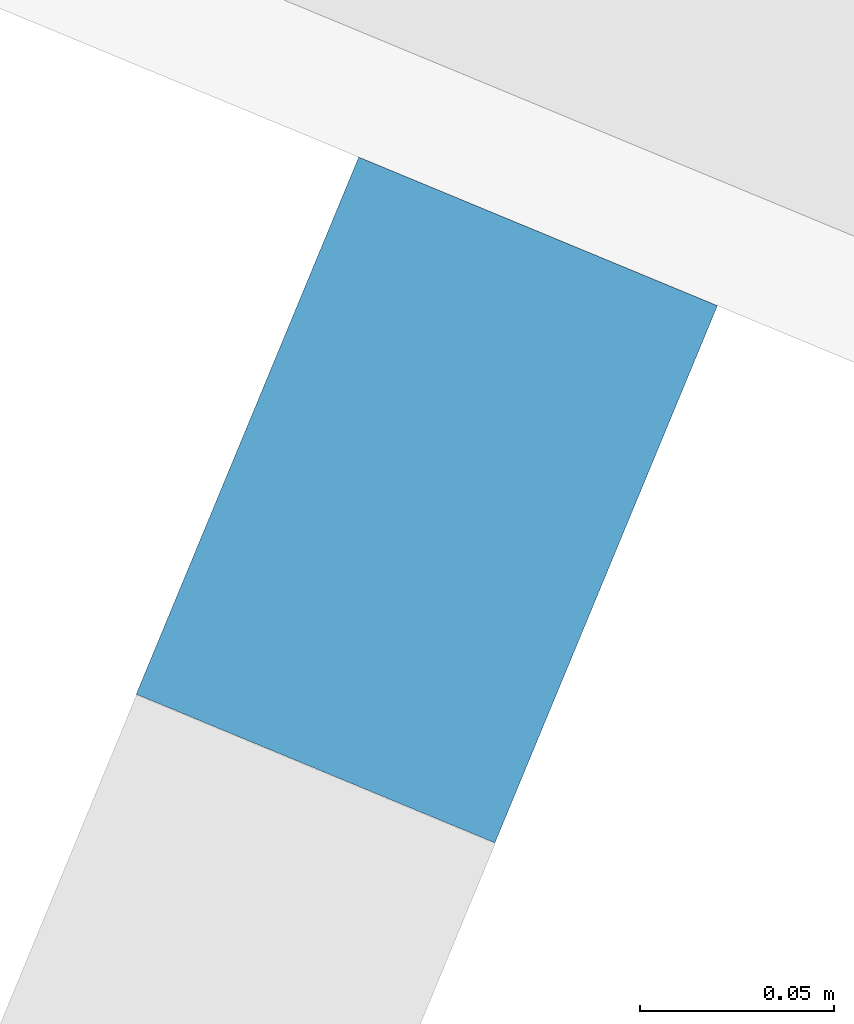
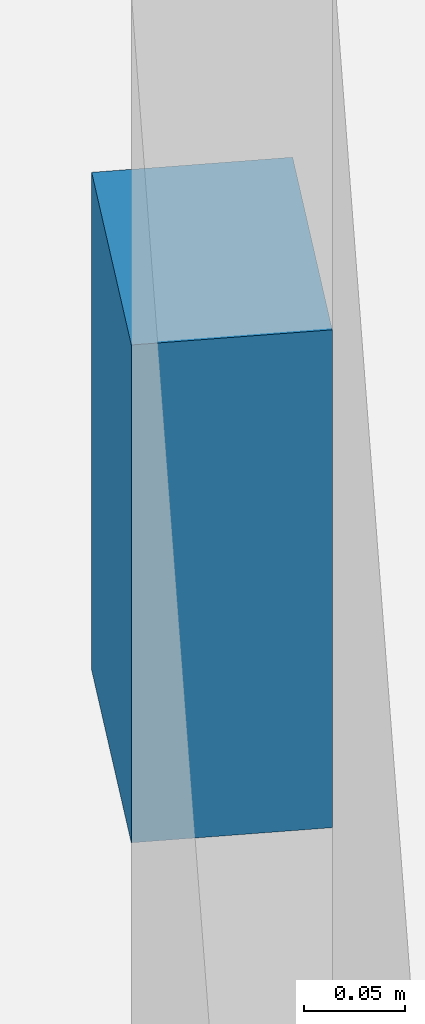
# One storey, part 9 of 28: 1 discrete accessory.
"""IFC4 building model written with IfcOpenShell, lengths in metres."""

from ifc_helpers import new_model, si_unit, direction, frame, origin, origin_2d, place, context, subcontext, project, spatial, rectangle, extrude, material, type_object, element, save


model = new_model("IFC4")

# Units and contexts
model_context = context("Model", 3, precision=1e-05, world=origin(), true_north=direction((0.0, 1.0)))
body_context = subcontext(model_context, "Body", "Model", "MODEL_VIEW")
ifc_project = project(units=[si_unit("LENGTHUNIT", "METRE"), si_unit("AREAUNIT", "SQUARE_METRE"), si_unit("VOLUMEUNIT", "CUBIC_METRE"), si_unit("PLANEANGLEUNIT", "RADIAN"), si_unit("MASSUNIT", "GRAM", prefix="KILO")], contexts=[model_context])

# Site, building, storey
site_placement = place(None, origin())
site = spatial("IfcSite", under=ifc_project, at=site_placement, CompositionType="ELEMENT")
building_placement = place(site_placement, origin())
building = spatial("IfcBuilding", under=site, at=building_placement, Name="Qamariyya Broadcast Tower", CompositionType="ELEMENT")
storey_placement = place(building_placement, frame((0.0, 0.0, 234.10009765625)))
storey = spatial("IfcBuildingStorey", under=building, at=storey_placement, Name="L56", CompositionType="ELEMENT", Elevation=234.10009765625)

# Discrete accessory
ifc_material = material(Name="Stainless steel 316", Category="steel")
discrete_accessory_type = type_object("IfcDiscreteAccessoryType", Name="Slab edge fixing angle, stainless steel", PredefinedType="BRACKET", material=ifc_material)
discrete_accessory_placement = place(storey_placement, frame((-33.626708984375, -71.100341796875, 3.2998046875), z_axis=(0.0, 0.0, 1.0), x_axis=(0.923879532511, -0.382683432365, 0.0)))
element("IfcDiscreteAccessory", 1, at=discrete_accessory_placement, inside=storey, type_object=discrete_accessory_type, Name="e-br-L56-05-0", PredefinedType="BRACKET", context=body_context, shape_type="SweptSolid", body=[
    extrude(rectangle(XDim=0.10009765625, YDim=0.14990234375, at=origin_2d()), origin(), (0.0, 0.0, 1.0), 0.300048828125),
])

save(model, "model.ifc")
